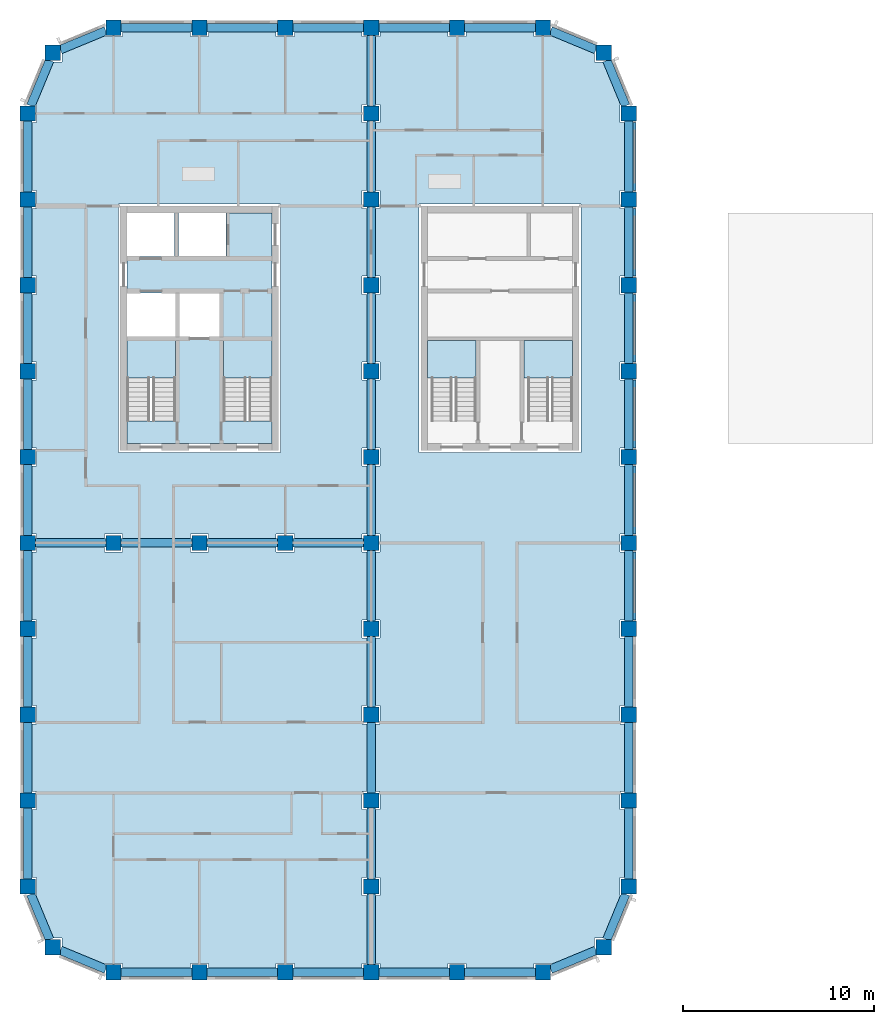
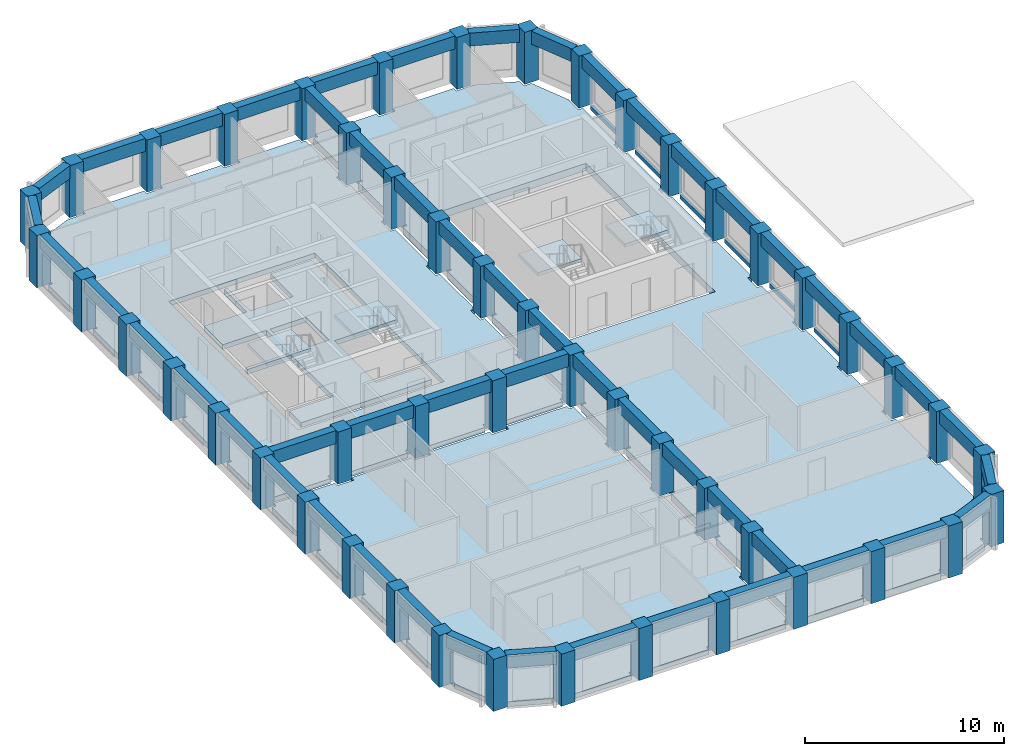
# One storey, part 1 of 9: 57 beams, 49 columns, 8 slabs, 4 elements without a shape of their own.
"""IFC4 building model written with IfcOpenShell, lengths in metres."""

from ifc_helpers import new_model, si_unit, direction, frame, origin, origin_2d, place, context, subcontext, project, spatial, polyline, rectangle, outline, extrude, material, layer, layer_set, material_profile, profile_set, type_object, element, aggregate, save


model = new_model("IFC4")

# Units and contexts
model_context = context("Model", 3, precision=1e-05, world=origin(), true_north=direction((0.0, 1.0)))
body_context = subcontext(model_context, "Body", "Model", "MODEL_VIEW")
ifc_project = project(units=[si_unit("LENGTHUNIT", "METRE"), si_unit("AREAUNIT", "SQUARE_METRE"), si_unit("VOLUMEUNIT", "CUBIC_METRE"), si_unit("PLANEANGLEUNIT", "RADIAN"), si_unit("MASSUNIT", "GRAM", prefix="KILO")], contexts=[model_context])

# Site, building, storey
site_placement = place(None, origin())
site = spatial("IfcSite", under=ifc_project, at=site_placement, CompositionType="ELEMENT")
building_placement = place(site_placement, origin())
building = spatial("IfcBuilding", under=site, at=building_placement, Name="Girih Gate Residences", CompositionType="ELEMENT")
storey_placement = place(building_placement, frame((0.0, 0.0, 179.5)))
storey = spatial("IfcBuildingStorey", under=building, at=storey_placement, Name="L49", CompositionType="ELEMENT", Elevation=179.5)

# Columns
ifc_material_1 = material(Name="Concrete C60/75", Category="concrete")
ifc_material_profile_1 = material_profile(ifc_material_1, rectangle(XDim=0.800048828125, YDim=0.800048828125, at=origin_2d()))
ifc_profile_set_1 = profile_set([ifc_material_profile_1], Name="Concrete C60/75")
column_type = type_object("IfcColumnType", Name="Pier RC 800x800 Concrete C60/75", PredefinedType="COLUMN", material=ifc_profile_set_1)
for number, where, z_axis, x_axis, name in (
    (1, (4.5, 0.0, 0.0), (0.0, 0.0, 1.0), (1.0, 0.0, 0.0), "Pier P2A L49"),
    (2, (9.0, 0.0, 0.0), (0.0, 0.0, 1.0), (1.0, 0.0, 0.0), "Pier P3A L49"),
    (3, (13.5, 0.0, 0.0), (0.0, 0.0, 1.0), (1.0, 0.0, 0.0), "Pier P4A L49"),
    (4, (18.0, 0.0, 0.0), (0.0, 0.0, 1.0), (1.0, 0.0, 0.0), "Pier P5A L49"),
    (5, (22.5, 0.0, 0.0), (0.0, 0.0, 1.0), (1.0, 0.0, 0.0), "Pier P6A L49"),
    (6, (27.0, 0.0, 0.0), (0.0, 0.0, 1.0), (1.0, 0.0, 0.0), "Pier P7A L49"),
    (7, (1.318115234375, 1.318115234375, 0.0), (0.0, 0.0, 1.0), (1.0, 0.0, 0.0), "Pier P1ANE L49"),
    (8, (30.181884765625, 1.318115234375, 0.0), (0.0, 0.0, 1.0), (1.0, 0.0, 0.0), "Pier P8ANW L49"),
    (9, (0.0, 4.5, 0.0), (0.0, 0.0, 1.0), (1.0, 0.0, 0.0), "Pier P1B L49"),
    (10, (18.0, 4.5, 0.0), (0.0, 0.0, 1.0), (1.0, 0.0, 0.0), "Pier P5B L49"),
    (11, (31.5, 4.5, 0.0), (0.0, 0.0, 1.0), (1.0, 0.0, 0.0), "Pier P8B L49"),
    (12, (0.0, 9.0, 0.0), (0.0, 0.0, 1.0), (1.0, 0.0, 0.0), "Pier P1C L49"),
    (13, (18.0, 9.0, 0.0), (0.0, 0.0, 1.0), (1.0, 0.0, 0.0), "Pier P5C L49"),
    (14, (31.5, 9.0, 0.0), (0.0, 0.0, 1.0), (1.0, 0.0, 0.0), "Pier P8C L49"),
    (15, (0.0, 13.5, 0.0), (0.0, 0.0, 1.0), (1.0, 0.0, 0.0), "Pier P1D L49"),
    (16, (18.0, 13.5, 0.0), (0.0, 0.0, 1.0), (1.0, 0.0, 0.0), "Pier P5D L49"),
    (17, (31.5, 13.5, 0.0), (0.0, 0.0, 1.0), (1.0, 0.0, 0.0), "Pier P8D L49"),
    (18, (0.0, 18.0, 0.0), (0.0, 0.0, 1.0), (1.0, 0.0, 0.0), "Pier P1E L49"),
    (19, (18.0, 18.0, 0.0), (0.0, 0.0, 1.0), (1.0, 0.0, 0.0), "Pier P5E L49"),
    (20, (31.5, 18.0, 0.0), (0.0, 0.0, 1.0), (1.0, 0.0, 0.0), "Pier P8E L49"),
    (21, (0.0, 22.5, 0.0), (0.0, 0.0, 1.0), (1.0, 0.0, 0.0), "Pier P1F L49"),
    (22, (4.5, 22.5, 0.0), (0.0, 0.0, 1.0), (1.0, 0.0, 0.0), "Pier P2F L49"),
    (23, (9.0, 22.5, 0.0), (0.0, 0.0, 1.0), (1.0, 0.0, 0.0), "Pier P3F L49"),
    (24, (13.5, 22.5, 0.0), (0.0, 0.0, 1.0), (1.0, 0.0, 0.0), "Pier P4F L49"),
    (25, (18.0, 22.5, 0.0), (0.0, 0.0, 1.0), (1.0, 0.0, 0.0), "Pier P5F L49"),
    (26, (31.5, 22.5, 0.0), (0.0, 0.0, 1.0), (1.0, 0.0, 0.0), "Pier P8F L49"),
    (27, (0.0, 27.0, 0.0), (0.0, 0.0, 1.0), (1.0, 0.0, 0.0), "Pier P1G L49"),
    (28, (18.0, 27.0, 0.0), (0.0, 0.0, 1.0), (1.0, 0.0, 0.0), "Pier P5G L49"),
    (29, (31.5, 27.0, 0.0), (0.0, 0.0, 1.0), (1.0, 0.0, 0.0), "Pier P8G L49"),
    (30, (0.0, 31.5, 0.0), (0.0, 0.0, 1.0), (1.0, 0.0, 0.0), "Pier P1H L49"),
    (31, (18.0, 31.5, 0.0), (0.0, 0.0, 1.0), (1.0, 0.0, 0.0), "Pier P5H L49"),
    (32, (31.5, 31.5, 0.0), (0.0, 0.0, 1.0), (1.0, 0.0, 0.0), "Pier P8H L49"),
    (33, (0.0, 36.0, 0.0), (0.0, 0.0, 1.0), (1.0, 0.0, 0.0), "Pier P1I L49"),
    (34, (18.0, 36.0, 0.0), (0.0, 0.0, 1.0), (1.0, 0.0, 0.0), "Pier P5I L49"),
    (35, (31.5, 36.0, 0.0), (0.0, 0.0, 1.0), (1.0, 0.0, 0.0), "Pier P8I L49"),
    (36, (0.0, 40.5, 0.0), (0.0, 0.0, 1.0), (1.0, 0.0, 0.0), "Pier P1J L49"),
    (37, (18.0, 40.5, 0.0), (0.0, 0.0, 1.0), (1.0, 0.0, 0.0), "Pier P5J L49"),
    (38, (31.5, 40.5, 0.0), (0.0, 0.0, 1.0), (1.0, 0.0, 0.0), "Pier P8J L49"),
    (39, (0.0, 45.0, 0.0), (0.0, 0.0, 1.0), (1.0, 0.0, 0.0), "Pier P1K L49"),
    (40, (18.0, 45.0, 0.0), (0.0, 0.0, 1.0), (1.0, 0.0, 0.0), "Pier P5K L49"),
    (41, (31.5, 45.0, 0.0), (0.0, 0.0, 1.0), (1.0, 0.0, 0.0), "Pier P8K L49"),
    (42, (1.318115234375, 48.181884765625, 0.0), (0.0, 0.0, 1.0), (1.0, 0.0, 0.0), "Pier P1LSE L49"),
    (43, (30.181884765625, 48.181884765625, 0.0), (0.0, 0.0, 1.0), (1.0, 0.0, 0.0), "Pier P8LSW L49"),
    (44, (4.5, 49.5, 0.0), (0.0, 0.0, 1.0), (1.0, 0.0, 0.0), "Pier P2L L49"),
    (45, (9.0, 49.5, 0.0), (0.0, 0.0, 1.0), (1.0, 0.0, 0.0), "Pier P3L L49"),
    (46, (13.5, 49.5, 0.0), (0.0, 0.0, 1.0), (1.0, 0.0, 0.0), "Pier P4L L49"),
    (47, (18.0, 49.5, 0.0), (0.0, 0.0, 1.0), (1.0, 0.0, 0.0), "Pier P5L L49"),
    (48, (22.5, 49.5, 0.0), (0.0, 0.0, 1.0), (1.0, 0.0, 0.0), "Pier P6L L49"),
    (49, (27.0, 49.5, 0.0), (0.0, 0.0, 1.0), (1.0, 0.0, 0.0), "Pier P7L L49"),
):
    element("IfcColumn", number, at=place(storey_placement, frame(where, z_axis=z_axis, x_axis=x_axis)), inside=storey, type_object=column_type, Name=name, PredefinedType="COLUMN", context=body_context, shape_type="SweptSolid", body=[
        extrude(rectangle(XDim=0.800048828125, YDim=0.800048828125, at=origin_2d()), origin(), (0.0, 0.0, 1.0), 3.199951171875),
    ])

# Beams
ifc_material_2 = material(Name="Concrete C50/60", Category="concrete")
ifc_material_profile_2 = material_profile(ifc_material_2, rectangle(XDim=0.14990234375, YDim=0.25, at=origin_2d()))
ifc_profile_set_2 = profile_set([ifc_material_profile_2], Name="Concrete C50/60")
beam_type_1 = type_object("IfcBeamType", Name="Facade ledge RC 150x250 Concrete C50/60", PredefinedType="BEAM", material=ifc_profile_set_2)
for number, where, z_axis, x_axis, name in (
    (50, (31.800048828125, 18.47509765625, -0.125), (0.0, 1.0, 0.0), (-1.0, 0.0, 0.0), "Facade ledge E0315_0045.3 L49"),
    (51, (31.800048828125, 22.97509765625, -0.125), (0.0, 1.0, 0.0), (-1.0, 0.0, 0.0), "Facade ledge E0315_0045.4 L49"),
    (52, (31.800048828125, 27.47509765625, -0.125), (0.0, 1.0, 0.0), (-1.0, 0.0, 0.0), "Facade ledge E0315_0045.5 L49"),
    (53, (31.800048828125, 31.97509765625, -0.125), (0.0, 1.0, 0.0), (-1.0, 0.0, 0.0), "Facade ledge E0315_0045.6 L49"),
    (54, (31.800048828125, 36.47509765625, -0.125), (0.0, 1.0, 0.0), (-1.0, 0.0, 0.0), "Facade ledge E0315_0045.7 L49"),
    (55, (31.800048828125, 40.97509765625, -0.125), (0.0, 1.0, 0.0), (-1.0, 0.0, 0.0), "Facade ledge E0315_0045.8 L49"),
):
    element("IfcBeam", number, at=place(storey_placement, frame(where, z_axis=z_axis, x_axis=x_axis)), inside=storey, type_object=beam_type_1, Name=name, PredefinedType="BEAM", context=body_context, shape_type="SweptSolid", body=[
        extrude(rectangle(XDim=0.14990234375, YDim=0.25, at=origin_2d()), origin(), (0.0, 0.0, 1.0), 3.5498046875),
    ])
ifc_material_profile_3 = material_profile(ifc_material_1, rectangle(XDim=0.449951171875, YDim=0.800048828125, at=origin_2d()))
ifc_profile_set_3 = profile_set([ifc_material_profile_3], Name="Concrete C60/75")
beam_type_2 = type_object("IfcBeamType", Name="Spandrel girder RC 450x800 Concrete C60/75", PredefinedType="BEAM", material=ifc_profile_set_3)
for number, where, z_axis, x_axis, name in (
    (56, (27.39990234375, 0.165771484375, 2.800048828125), (0.923895659062, 0.382644497107, 0.0), (-0.382644497107, 0.923895659062, 0.0), "Spandrel girder SP-P7A-P8ANW L49"),
    (57, (30.34765625, 1.718017578125, 2.800048828125), (0.382644497107, 0.923895659062, 0.0), (-0.923895659062, 0.382644497107, 0.0), "Spandrel girder SP-P8ANW-P8B L49"),
):
    element("IfcBeam", number, at=place(storey_placement, frame(where, z_axis=z_axis, x_axis=x_axis)), inside=storey, type_object=beam_type_2, Name=name, PredefinedType="BEAM", context=body_context, shape_type="SweptSolid", body=[
        extrude(rectangle(XDim=0.449951171875, YDim=0.800048828125, at=origin_2d()), origin(), (0.0, 0.0, 1.0), 2.578369140625),
    ])
for number, where, z_axis, x_axis, name in (
    (58, (31.5, 4.89990234375, 2.800048828125), (0.0, 1.0, 0.0), (-1.0, 0.0, 0.0), "Spandrel girder SP-P8B-P8C L49"),
    (59, (31.5, 9.39990234375, 2.800048828125), (0.0, 1.0, 0.0), (-1.0, 0.0, 0.0), "Spandrel girder SP-P8C-P8D L49"),
    (60, (31.5, 13.89990234375, 2.800048828125), (0.0, 1.0, 0.0), (-1.0, 0.0, 0.0), "Spandrel girder SP-P8D-P8E L49"),
    (61, (31.5, 18.39990234375, 2.800048828125), (0.0, 1.0, 0.0), (-1.0, 0.0, 0.0), "Spandrel girder SP-P8E-P8F L49"),
    (62, (31.5, 22.89990234375, 2.800048828125), (0.0, 1.0, 0.0), (-1.0, 0.0, 0.0), "Spandrel girder SP-P8F-P8G L49"),
    (63, (31.5, 27.39990234375, 2.800048828125), (0.0, 1.0, 0.0), (-1.0, 0.0, 0.0), "Spandrel girder SP-P8G-P8H L49"),
    (64, (31.5, 31.89990234375, 2.800048828125), (0.0, 1.0, 0.0), (-1.0, 0.0, 0.0), "Spandrel girder SP-P8H-P8I L49"),
    (65, (31.5, 36.39990234375, 2.800048828125), (0.0, 1.0, 0.0), (-1.0, 0.0, 0.0), "Spandrel girder SP-P8I-P8J L49"),
    (66, (31.5, 40.89990234375, 2.800048828125), (0.0, 1.0, 0.0), (-1.0, 0.0, 0.0), "Spandrel girder SP-P8J-P8K L49"),
):
    element("IfcBeam", number, at=place(storey_placement, frame(where, z_axis=z_axis, x_axis=x_axis)), inside=storey, type_object=beam_type_2, Name=name, PredefinedType="BEAM", context=body_context, shape_type="SweptSolid", body=[
        extrude(rectangle(XDim=0.449951171875, YDim=0.800048828125, at=origin_2d()), origin(), (0.0, 0.0, 1.0), 3.7001953125),
    ])
for number, where, z_axis, x_axis, name in (
    (67, (31.334228515625, 45.39990234375, 2.800048828125), (-0.382644497107, 0.923895659062, 0.0), (-0.923895659062, -0.382644497107, 0.0), "Spandrel girder SP-P8K-P8LSW L49"),
    (68, (29.781982421875, 48.34765625, 2.800048828125), (-0.923895659062, 0.382644497107, 0.0), (-0.382644497107, -0.923895659062, 0.0), "Spandrel girder SP-P8LSW-P7L L49"),
):
    element("IfcBeam", number, at=place(storey_placement, frame(where, z_axis=z_axis, x_axis=x_axis)), inside=storey, type_object=beam_type_2, Name=name, PredefinedType="BEAM", context=body_context, shape_type="SweptSolid", body=[
        extrude(rectangle(XDim=0.449951171875, YDim=0.800048828125, at=origin_2d()), origin(), (0.0, 0.0, 1.0), 2.578369140625),
    ])
for number, where, z_axis, x_axis, name in (
    (69, (26.60009765625, 49.5, 2.800048828125), (-1.0, 0.0, 0.0), (0.0, -1.0, 0.0), "Spandrel girder SP-P7L-P6L L49"),
    (70, (22.10009765625, 49.5, 2.800048828125), (-1.0, 0.0, 0.0), (0.0, -1.0, 0.0), "Spandrel girder SP-P6L-P5L L49"),
    (71, (17.60009765625, 49.5, 2.800048828125), (-1.0, 0.0, 0.0), (0.0, -1.0, 0.0), "Spandrel girder SP-P5L-P4L L49"),
    (72, (13.10009765625, 49.5, 2.800048828125), (-1.0, 0.0, 0.0), (0.0, -1.0, 0.0), "Spandrel girder SP-P4L-P3L L49"),
    (73, (8.60009765625, 49.5, 2.800048828125), (-1.0, 0.0, 0.0), (0.0, -1.0, 0.0), "Spandrel girder SP-P3L-P2L L49"),
):
    element("IfcBeam", number, at=place(storey_placement, frame(where, z_axis=z_axis, x_axis=x_axis)), inside=storey, type_object=beam_type_2, Name=name, PredefinedType="BEAM", context=body_context, shape_type="SweptSolid", body=[
        extrude(rectangle(XDim=0.449951171875, YDim=0.800048828125, at=origin_2d()), origin(), (0.0, 0.0, 1.0), 3.7001953125),
    ])
for number, where, z_axis, x_axis, name in (
    (74, (4.10009765625, 49.334228515625, 2.800048828125), (-0.923895659062, -0.382644497107, 0.0), (0.382644497107, -0.923895659062, 0.0), "Spandrel girder SP-P2L-P1LSE L49"),
    (75, (1.15234375, 47.781982421875, 2.800048828125), (-0.382644497107, -0.923895659062, 0.0), (0.923895659062, -0.382644497107, 0.0), "Spandrel girder SP-P1LSE-P1K L49"),
):
    element("IfcBeam", number, at=place(storey_placement, frame(where, z_axis=z_axis, x_axis=x_axis)), inside=storey, type_object=beam_type_2, Name=name, PredefinedType="BEAM", context=body_context, shape_type="SweptSolid", body=[
        extrude(rectangle(XDim=0.449951171875, YDim=0.800048828125, at=origin_2d()), origin(), (0.0, 0.0, 1.0), 2.578369140625),
    ])
for number, where, z_axis, x_axis, name in (
    (76, (0.0, 44.60009765625, 2.800048828125), (0.0, -1.0, 0.0), (1.0, 0.0, 0.0), "Spandrel girder SP-P1K-P1J L49"),
    (77, (0.0, 40.10009765625, 2.800048828125), (0.0, -1.0, 0.0), (1.0, 0.0, 0.0), "Spandrel girder SP-P1J-P1I L49"),
    (78, (0.0, 35.60009765625, 2.800048828125), (0.0, -1.0, 0.0), (1.0, 0.0, 0.0), "Spandrel girder SP-P1I-P1H L49"),
    (79, (0.0, 31.10009765625, 2.800048828125), (0.0, -1.0, 0.0), (1.0, 0.0, 0.0), "Spandrel girder SP-P1H-P1G L49"),
    (80, (0.0, 26.60009765625, 2.800048828125), (0.0, -1.0, 0.0), (1.0, 0.0, 0.0), "Spandrel girder SP-P1G-P1F L49"),
    (81, (0.0, 22.10009765625, 2.800048828125), (0.0, -1.0, 0.0), (1.0, 0.0, 0.0), "Spandrel girder SP-P1F-P1E L49"),
    (82, (0.0, 17.60009765625, 2.800048828125), (0.0, -1.0, 0.0), (1.0, 0.0, 0.0), "Spandrel girder SP-P1E-P1D L49"),
    (83, (0.0, 13.10009765625, 2.800048828125), (0.0, -1.0, 0.0), (1.0, 0.0, 0.0), "Spandrel girder SP-P1D-P1C L49"),
    (84, (0.0, 8.60009765625, 2.800048828125), (0.0, -1.0, 0.0), (1.0, 0.0, 0.0), "Spandrel girder SP-P1C-P1B L49"),
):
    element("IfcBeam", number, at=place(storey_placement, frame(where, z_axis=z_axis, x_axis=x_axis)), inside=storey, type_object=beam_type_2, Name=name, PredefinedType="BEAM", context=body_context, shape_type="SweptSolid", body=[
        extrude(rectangle(XDim=0.449951171875, YDim=0.800048828125, at=origin_2d()), origin(), (0.0, 0.0, 1.0), 3.7001953125),
    ])
for number, where, z_axis, x_axis, name in (
    (85, (0.165771484375, 4.10009765625, 2.800048828125), (0.382644497107, -0.923895659062, 0.0), (0.923895659062, 0.382644497107, 0.0), "Spandrel girder SP-P1B-P1ANE L49"),
    (86, (1.718017578125, 1.15234375, 2.800048828125), (0.923895659062, -0.382644497107, 0.0), (0.382644497107, 0.923895659062, 0.0), "Spandrel girder SP-P1ANE-P2A L49"),
):
    element("IfcBeam", number, at=place(storey_placement, frame(where, z_axis=z_axis, x_axis=x_axis)), inside=storey, type_object=beam_type_2, Name=name, PredefinedType="BEAM", context=body_context, shape_type="SweptSolid", body=[
        extrude(rectangle(XDim=0.449951171875, YDim=0.800048828125, at=origin_2d()), origin(), (0.0, 0.0, 1.0), 2.578369140625),
    ])
for number, where, z_axis, x_axis, name in (
    (87, (4.89990234375, 0.0, 2.800048828125), (1.0, 0.0, 0.0), (0.0, 1.0, 0.0), "Spandrel girder SP-P2A-P3A L49"),
    (88, (9.39990234375, 0.0, 2.800048828125), (1.0, 0.0, 0.0), (0.0, 1.0, 0.0), "Spandrel girder SP-P3A-P4A L49"),
    (89, (13.89990234375, 0.0, 2.800048828125), (1.0, 0.0, 0.0), (0.0, 1.0, 0.0), "Spandrel girder SP-P4A-P5A L49"),
    (90, (18.39990234375, 0.0, 2.800048828125), (1.0, 0.0, 0.0), (0.0, 1.0, 0.0), "Spandrel girder SP-P5A-P6A L49"),
    (91, (22.89990234375, 0.0, 2.800048828125), (1.0, 0.0, 0.0), (0.0, 1.0, 0.0), "Spandrel girder SP-P6A-P7A L49"),
    (92, (18.0, 0.39990234375, 2.800048828125), (0.0, 1.0, 0.0), (-1.0, 0.0, 0.0), "Spandrel girder SP-P5A-P5B L49"),
    (93, (18.0, 4.89990234375, 2.800048828125), (0.0, 1.0, 0.0), (-1.0, 0.0, 0.0), "Spandrel girder SP-P5B-P5C L49"),
    (94, (18.0, 9.39990234375, 2.800048828125), (0.0, 1.0, 0.0), (-1.0, 0.0, 0.0), "Spandrel girder SP-P5C-P5D L49"),
    (95, (18.0, 13.89990234375, 2.800048828125), (0.0, 1.0, 0.0), (-1.0, 0.0, 0.0), "Spandrel girder SP-P5D-P5E L49"),
    (96, (18.0, 18.39990234375, 2.800048828125), (0.0, 1.0, 0.0), (-1.0, 0.0, 0.0), "Spandrel girder SP-P5E-P5F L49"),
    (97, (18.0, 22.89990234375, 2.800048828125), (0.0, 1.0, 0.0), (-1.0, 0.0, 0.0), "Spandrel girder SP-P5F-P5G L49"),
    (98, (18.0, 27.39990234375, 2.800048828125), (0.0, 1.0, 0.0), (-1.0, 0.0, 0.0), "Spandrel girder SP-P5G-P5H L49"),
    (99, (18.0, 31.89990234375, 2.800048828125), (0.0, 1.0, 0.0), (-1.0, 0.0, 0.0), "Spandrel girder SP-P5H-P5I L49"),
    (100, (18.0, 36.39990234375, 2.800048828125), (0.0, 1.0, 0.0), (-1.0, 0.0, 0.0), "Spandrel girder SP-P5I-P5J L49"),
    (101, (18.0, 40.89990234375, 2.800048828125), (0.0, 1.0, 0.0), (-1.0, 0.0, 0.0), "Spandrel girder SP-P5J-P5K L49"),
    (102, (18.0, 45.39990234375, 2.800048828125), (0.0, 1.0, 0.0), (-1.0, 0.0, 0.0), "Spandrel girder SP-P5K-P5L L49"),
    (103, (0.39990234375, 22.5, 2.800048828125), (1.0, 0.0, 0.0), (0.0, 1.0, 0.0), "Spandrel girder SP-P1F-P2F L49"),
    (104, (4.89990234375, 22.5, 2.800048828125), (1.0, 0.0, 0.0), (0.0, 1.0, 0.0), "Spandrel girder SP-P2F-P3F L49"),
    (105, (9.39990234375, 22.5, 2.800048828125), (1.0, 0.0, 0.0), (0.0, 1.0, 0.0), "Spandrel girder SP-P3F-P4F L49"),
    (106, (13.89990234375, 22.5, 2.800048828125), (1.0, 0.0, 0.0), (0.0, 1.0, 0.0), "Spandrel girder SP-P4F-P5F L49"),
):
    element("IfcBeam", number, at=place(storey_placement, frame(where, z_axis=z_axis, x_axis=x_axis)), inside=storey, type_object=beam_type_2, Name=name, PredefinedType="BEAM", context=body_context, shape_type="SweptSolid", body=[
        extrude(rectangle(XDim=0.449951171875, YDim=0.800048828125, at=origin_2d()), origin(), (0.0, 0.0, 1.0), 3.7001953125),
    ])

# Slabs
ifc_material_3 = material(Name="Concrete C40/50", Category="concrete")
ifc_layer_1 = layer(ifc_material_3, 0.300048828125)
ifc_layer_set_1 = layer_set([ifc_layer_1], Name="Core floor slab 300")
slab_type_1 = type_object("IfcSlabType", Name="Core floor slab 300", PredefinedType="FLOOR", material=ifc_layer_set_1)
slab_1_placement = place(storey_placement, frame((0.0, 0.0, -0.300048828125)))
element("IfcSlab", 107, at=slab_1_placement, inside=storey, type_object=slab_type_1, Name="L49 W core floor", PredefinedType="FLOOR", context=body_context, shape_type="SweptSolid", body=[
    extrude(outline(polyline([(12.800048828125, 27.699951171875), (5.199951171875, 27.699951171875), (5.199951171875, 28.900634765625), (7.75, 28.900634765625), (7.75, 33.10009765625), (5.199951171875, 33.10009765625), (5.199951171875, 33.300048828125), (7.75, 33.300048828125), (7.75, 35.60009765625), (5.199951171875, 35.60009765625), (5.199951171875, 37.5), (7.699951171875, 37.5), (7.699951171875, 39.800048828125), (7.89990234375, 39.800048828125), (7.89990234375, 37.5), (10.39990234375, 37.5), (10.39990234375, 39.800048828125), (12.800048828125, 39.800048828125), (12.800048828125, 33.10009765625), (10.25, 33.10009765625), (10.25, 28.900634765625), (12.800048828125, 28.900634765625), (12.800048828125, 27.699951171875)]), holes=[polyline([(7.949951171875, 33.300048828125), (10.050048828125, 33.300048828125), (10.050048828125, 35.60009765625), (7.949951171875, 35.60009765625), (7.949951171875, 33.300048828125)])]), origin(), (0.0, 0.0, 1.0), 0.300048828125),
])
ifc_layer_2 = layer(ifc_material_3, 0.300048828125)
ifc_layer_set_2 = layer_set([ifc_layer_2], Name="Floor slab PT 300 Concrete C40/50")
slab_type_2 = type_object("IfcSlabType", Name="Floor slab PT 300 Concrete C40/50", PredefinedType="FLOOR", material=ifc_layer_set_2)
slab_2_placement = place(storey_placement, frame((0.0, 0.0, -0.300048828125)))
element("IfcSlab", 108, at=slab_2_placement, inside=storey, type_object=slab_type_2, Name="Floor slab L49 0", PredefinedType="FLOOR", context=body_context, shape_type="SweptSolid", body=[
    extrude(outline(polyline([(13.97509765625, 0.22509765625), (17.52490234375, 0.22509765625), (17.52490234375, 0.47509765625), (17.77490234375, 0.47509765625), (17.77490234375, 4.02490234375), (17.52490234375, 4.02490234375), (17.52490234375, 4.97509765625), (17.77490234375, 4.97509765625), (17.77490234375, 8.52490234375), (17.52490234375, 8.52490234375), (17.52490234375, 9.47509765625), (17.77490234375, 9.47509765625), (17.77490234375, 13.02490234375), (17.52490234375, 13.02490234375), (17.52490234375, 13.97509765625), (17.77490234375, 13.97509765625), (17.77490234375, 17.52490234375), (17.52490234375, 17.52490234375), (17.52490234375, 18.47509765625), (17.77490234375, 18.47509765625), (17.77490234375, 22.02490234375), (17.52490234375, 22.02490234375), (17.52490234375, 22.27490234375), (13.97509765625, 22.27490234375), (13.97509765625, 22.02490234375), (13.02490234375, 22.02490234375), (13.02490234375, 22.27490234375), (9.47509765625, 22.27490234375), (9.47509765625, 22.02490234375), (8.52490234375, 22.02490234375), (8.52490234375, 22.27490234375), (4.97509765625, 22.27490234375), (4.97509765625, 22.02490234375), (4.02490234375, 22.02490234375), (4.02490234375, 22.27490234375), (0.47509765625, 22.27490234375), (0.47509765625, 22.02490234375), (0.22509765625, 22.02490234375), (0.22509765625, 18.47509765625), (0.47509765625, 18.47509765625), (0.47509765625, 17.52490234375), (0.22509765625, 17.52490234375), (0.22509765625, 13.97509765625), (0.47509765625, 13.97509765625), (0.47509765625, 13.02490234375), (0.22509765625, 13.02490234375), (0.22509765625, 9.47509765625), (0.47509765625, 9.47509765625), (0.47509765625, 8.52490234375), (0.22509765625, 8.52490234375), (0.22509765625, 4.97509765625), (0.47509765625, 4.97509765625), (0.47509765625, 4.02490234375), (0.440185546875, 4.02490234375), (1.36474609375, 1.79296875), (1.79296875, 1.79296875), (1.79296875, 1.36474609375), (4.02490234375, 0.440185546875), (4.02490234375, 0.47509765625), (4.97509765625, 0.47509765625), (4.97509765625, 0.22509765625), (8.52490234375, 0.22509765625), (8.52490234375, 0.47509765625), (9.47509765625, 0.47509765625), (9.47509765625, 0.22509765625), (13.02490234375, 0.22509765625), (13.02490234375, 0.47509765625), (13.97509765625, 0.47509765625), (13.97509765625, 0.22509765625)])), origin(), (0.0, 0.0, 1.0), 0.300048828125),
])
slab_3_placement = place(storey_placement, frame((0.0, 0.0, -0.300048828125)))
element("IfcSlab", 109, at=slab_3_placement, inside=storey, type_object=slab_type_2, Name="Floor slab L49 2", PredefinedType="FLOOR", context=body_context, shape_type="SweptSolid", body=[
    extrude(outline(polyline([(0.22509765625, 26.52490234375), (0.22509765625, 22.97509765625), (0.47509765625, 22.97509765625), (0.47509765625, 22.72509765625), (4.02490234375, 22.72509765625), (4.02490234375, 22.97509765625), (4.97509765625, 22.97509765625), (4.97509765625, 22.72509765625), (8.52490234375, 22.72509765625), (8.52490234375, 22.97509765625), (9.47509765625, 22.97509765625), (9.47509765625, 22.72509765625), (13.02490234375, 22.72509765625), (13.02490234375, 22.97509765625), (13.97509765625, 22.97509765625), (13.97509765625, 22.72509765625), (17.52490234375, 22.72509765625), (17.52490234375, 22.97509765625), (17.77490234375, 22.97509765625), (17.77490234375, 26.52490234375), (17.52490234375, 26.52490234375), (17.52490234375, 27.47509765625), (17.77490234375, 27.47509765625), (17.77490234375, 31.02490234375), (17.52490234375, 31.02490234375), (17.52490234375, 31.97509765625), (17.77490234375, 31.97509765625), (17.77490234375, 35.52490234375), (17.52490234375, 35.52490234375), (17.52490234375, 36.47509765625), (17.77490234375, 36.47509765625), (17.77490234375, 40.02490234375), (17.52490234375, 40.02490234375), (17.52490234375, 40.97509765625), (17.77490234375, 40.97509765625), (17.77490234375, 44.52490234375), (17.52490234375, 44.52490234375), (17.52490234375, 45.47509765625), (17.77490234375, 45.47509765625), (17.77490234375, 49.02490234375), (17.52490234375, 49.02490234375), (17.52490234375, 49.27490234375), (13.97509765625, 49.27490234375), (13.97509765625, 49.02490234375), (13.02490234375, 49.02490234375), (13.02490234375, 49.27490234375), (9.47509765625, 49.27490234375), (9.47509765625, 49.02490234375), (8.52490234375, 49.02490234375), (8.52490234375, 49.27490234375), (4.97509765625, 49.27490234375), (4.97509765625, 49.02490234375), (4.02490234375, 49.02490234375), (4.02490234375, 49.059814453125), (1.79296875, 48.13525390625), (1.79296875, 47.70703125), (1.36474609375, 47.70703125), (0.440185546875, 45.47509765625), (0.47509765625, 45.47509765625), (0.47509765625, 44.52490234375), (0.22509765625, 44.52490234375), (0.22509765625, 40.97509765625), (0.47509765625, 40.97509765625), (0.47509765625, 40.02490234375), (0.22509765625, 40.02490234375), (0.22509765625, 36.47509765625), (0.47509765625, 36.47509765625), (0.47509765625, 35.52490234375), (0.22509765625, 35.52490234375), (0.22509765625, 31.97509765625), (0.47509765625, 31.97509765625), (0.47509765625, 31.02490234375), (0.22509765625, 31.02490234375), (0.22509765625, 27.47509765625), (0.47509765625, 27.47509765625), (0.47509765625, 26.52490234375), (0.22509765625, 26.52490234375)]), holes=[polyline([(13.25, 40.25), (13.25, 27.25), (4.75, 27.25), (4.75, 40.25), (13.25, 40.25)])]), origin(), (0.0, 0.0, 1.0), 0.300048828125),
])
ifc_layer_3 = layer(ifc_material_3, 0.449951171875)
ifc_layer_set_3 = layer_set([ifc_layer_3], Name="Floor slab PT 450 Concrete C40/50")
slab_type_3 = type_object("IfcSlabType", Name="Floor slab PT 450 Concrete C40/50", PredefinedType="FLOOR", material=ifc_layer_set_3)
slab_4_placement = place(storey_placement, frame((0.0, 0.0, -0.449951171875)))
element("IfcSlab", 110, at=slab_4_placement, inside=storey, type_object=slab_type_3, Name="Floor slab L49 1", PredefinedType="FLOOR", context=body_context, shape_type="SweptSolid", body=[
    extrude(outline(polyline([(22.97509765625, 0.22509765625), (26.52490234375, 0.22509765625), (26.52490234375, 0.47509765625), (27.47509765625, 0.47509765625), (27.47509765625, 0.440185546875), (29.70703125, 1.36474609375), (29.70703125, 1.79296875), (30.13525390625, 1.79296875), (31.059814453125, 4.02490234375), (31.02490234375, 4.02490234375), (31.02490234375, 4.97509765625), (31.27490234375, 4.97509765625), (31.27490234375, 8.52490234375), (31.02490234375, 8.52490234375), (31.02490234375, 9.47509765625), (31.27490234375, 9.47509765625), (31.27490234375, 13.02490234375), (31.02490234375, 13.02490234375), (31.02490234375, 13.97509765625), (31.27490234375, 13.97509765625), (31.27490234375, 17.52490234375), (31.02490234375, 17.52490234375), (31.02490234375, 18.47509765625), (31.27490234375, 18.47509765625), (31.27490234375, 22.02490234375), (31.02490234375, 22.02490234375), (31.02490234375, 22.97509765625), (31.27490234375, 22.97509765625), (31.27490234375, 26.52490234375), (31.02490234375, 26.52490234375), (31.02490234375, 27.47509765625), (31.27490234375, 27.47509765625), (31.27490234375, 31.02490234375), (31.02490234375, 31.02490234375), (31.02490234375, 31.97509765625), (31.27490234375, 31.97509765625), (31.27490234375, 35.52490234375), (31.02490234375, 35.52490234375), (31.02490234375, 36.47509765625), (31.27490234375, 36.47509765625), (31.27490234375, 40.02490234375), (31.02490234375, 40.02490234375), (31.02490234375, 40.97509765625), (31.27490234375, 40.97509765625), (31.27490234375, 44.52490234375), (31.02490234375, 44.52490234375), (31.02490234375, 45.47509765625), (31.059814453125, 45.47509765625), (30.13525390625, 47.70703125), (29.70703125, 47.70703125), (29.70703125, 48.13525390625), (27.47509765625, 49.059814453125), (27.47509765625, 49.02490234375), (26.52490234375, 49.02490234375), (26.52490234375, 49.27490234375), (22.97509765625, 49.27490234375), (22.97509765625, 49.02490234375), (22.02490234375, 49.02490234375), (22.02490234375, 49.27490234375), (18.47509765625, 49.27490234375), (18.47509765625, 49.02490234375), (18.22509765625, 49.02490234375), (18.22509765625, 45.47509765625), (18.47509765625, 45.47509765625), (18.47509765625, 44.52490234375), (18.22509765625, 44.52490234375), (18.22509765625, 40.97509765625), (18.47509765625, 40.97509765625), (18.47509765625, 40.02490234375), (18.22509765625, 40.02490234375), (18.22509765625, 36.47509765625), (18.47509765625, 36.47509765625), (18.47509765625, 35.52490234375), (18.22509765625, 35.52490234375), (18.22509765625, 31.97509765625), (18.47509765625, 31.97509765625), (18.47509765625, 31.02490234375), (18.22509765625, 31.02490234375), (18.22509765625, 27.47509765625), (18.47509765625, 27.47509765625), (18.47509765625, 26.52490234375), (18.22509765625, 26.52490234375), (18.22509765625, 22.97509765625), (18.47509765625, 22.97509765625), (18.47509765625, 22.02490234375), (18.22509765625, 22.02490234375), (18.22509765625, 18.47509765625), (18.47509765625, 18.47509765625), (18.47509765625, 17.52490234375), (18.22509765625, 17.52490234375), (18.22509765625, 13.97509765625), (18.47509765625, 13.97509765625), (18.47509765625, 13.02490234375), (18.22509765625, 13.02490234375), (18.22509765625, 9.47509765625), (18.47509765625, 9.47509765625), (18.47509765625, 8.52490234375), (18.22509765625, 8.52490234375), (18.22509765625, 4.97509765625), (18.47509765625, 4.97509765625), (18.47509765625, 4.02490234375), (18.22509765625, 4.02490234375), (18.22509765625, 0.47509765625), (18.47509765625, 0.47509765625), (18.47509765625, 0.22509765625), (22.02490234375, 0.22509765625), (22.02490234375, 0.47509765625), (22.97509765625, 0.47509765625), (22.97509765625, 0.22509765625)]), holes=[polyline([(29.0, 40.25), (29.0, 27.25), (20.5, 27.25), (20.5, 40.25), (29.0, 40.25)])]), origin(), (0.0, 0.0, 1.0), 0.449951171875),
])

# Stair, slab
stair_type_1 = type_object("IfcStairType", Name="Exit stair", PredefinedType="HALF_TURN_STAIR", material=ifc_material_3)
stair_1_placement = place(storey_placement, origin())
stair_1 = element("IfcStair", 111, at=stair_1_placement, inside=storey, type_object=stair_type_1, Name="L49 Exit Stair ST-W1", PredefinedType="HALF_TURN_STAIR")
ifc_layer_4 = layer(ifc_material_3, 0.199951171875)
ifc_layer_set_4 = layer_set([ifc_layer_4], Name="Stair landing 200")
slab_type_4 = type_object("IfcSlabType", Name="Stair landing 200", PredefinedType="LANDING", material=ifc_layer_set_4)
slab_5_placement = place(storey_placement, frame((0.0, 0.0, 1.39990234375)))
slab_5 = element("IfcSlab", 112, at=slab_5_placement, type_object=slab_type_4, Name="ST-W1 landing 1", PredefinedType="LANDING", context=body_context, shape_type="SweptSolid", body=[
    extrude(outline(polyline([(7.75, 31.14990234375), (7.75, 33.10009765625), (5.199951171875, 33.10009765625), (5.199951171875, 31.14990234375), (7.75, 31.14990234375)])), origin(), (0.0, 0.0, 1.0), 0.2001953125),
])
aggregate(stair_1, [slab_5])

stair_2_placement = place(storey_placement, origin())
stair_2 = element("IfcStair", 113, at=stair_2_placement, inside=storey, type_object=stair_type_1, Name="L49 Exit Stair ST-W2", PredefinedType="HALF_TURN_STAIR")
slab_6_placement = place(storey_placement, frame((0.0, 0.0, 1.39990234375)))
slab_6 = element("IfcSlab", 114, at=slab_6_placement, type_object=slab_type_4, Name="ST-W2 landing 1", PredefinedType="LANDING", context=body_context, shape_type="SweptSolid", body=[
    extrude(outline(polyline([(12.800048828125, 31.14990234375), (12.800048828125, 33.10009765625), (10.25, 33.10009765625), (10.25, 31.14990234375), (12.800048828125, 31.14990234375)])), origin(), (0.0, 0.0, 1.0), 0.2001953125),
])
aggregate(stair_2, [slab_6])

stair_type_2 = type_object("IfcStairType", Name="Exit stair C core", PredefinedType="HALF_TURN_STAIR", material=ifc_material_3)
stair_3_placement = place(storey_placement, origin())
stair_3 = element("IfcStair", 115, at=stair_3_placement, inside=storey, type_object=stair_type_2, Name="L49 Exit Stair ST-C1", PredefinedType="HALF_TURN_STAIR")
slab_7_placement = place(storey_placement, frame((0.0, 0.0, 1.39990234375)))
slab_7 = element("IfcSlab", 116, at=slab_7_placement, type_object=slab_type_4, Name="ST-C1 landing 1", PredefinedType="LANDING", context=body_context, shape_type="SweptSolid", body=[
    extrude(outline(polyline([(23.5, 31.14990234375), (23.5, 33.10009765625), (20.949951171875, 33.10009765625), (20.949951171875, 31.14990234375), (23.5, 31.14990234375)])), origin(), (0.0, 0.0, 1.0), 0.2001953125),
])
aggregate(stair_3, [slab_7])

stair_4_placement = place(storey_placement, origin())
stair_4 = element("IfcStair", 117, at=stair_4_placement, inside=storey, type_object=stair_type_2, Name="L49 Exit Stair ST-C2", PredefinedType="HALF_TURN_STAIR")
slab_8_placement = place(storey_placement, frame((0.0, 0.0, 1.39990234375)))
slab_8 = element("IfcSlab", 118, at=slab_8_placement, type_object=slab_type_4, Name="ST-C2 landing 1", PredefinedType="LANDING", context=body_context, shape_type="SweptSolid", body=[
    extrude(outline(polyline([(28.550048828125, 31.14990234375), (28.550048828125, 33.10009765625), (26.0, 33.10009765625), (26.0, 31.14990234375), (28.550048828125, 31.14990234375)])), origin(), (0.0, 0.0, 1.0), 0.2001953125),
])
aggregate(stair_4, [slab_8])

save(model, "model.ifc")
